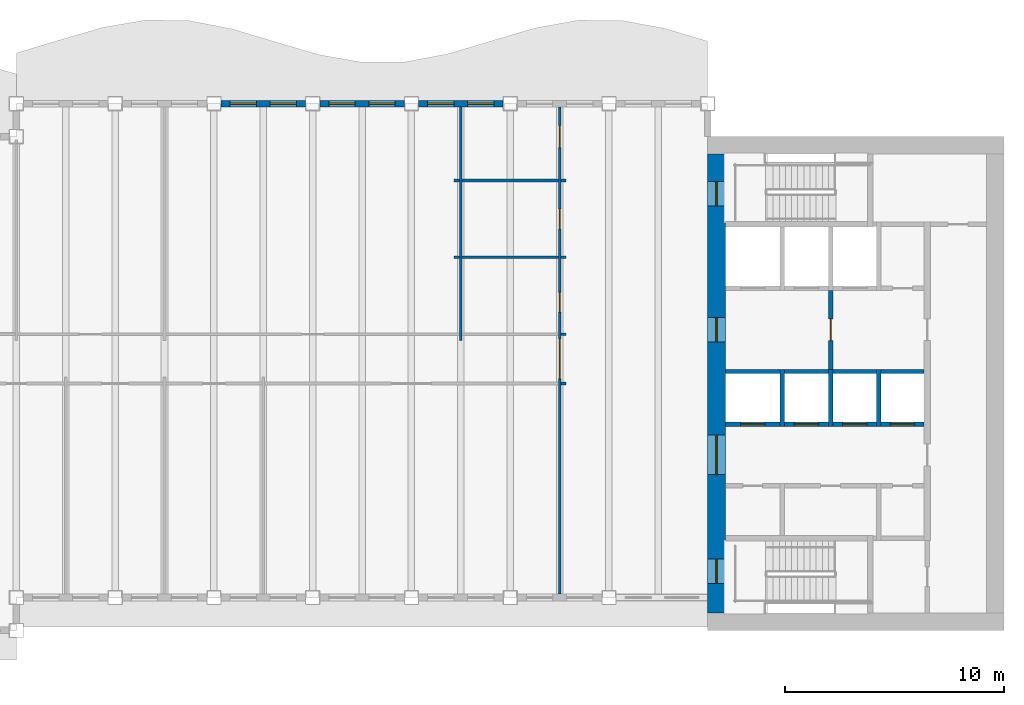
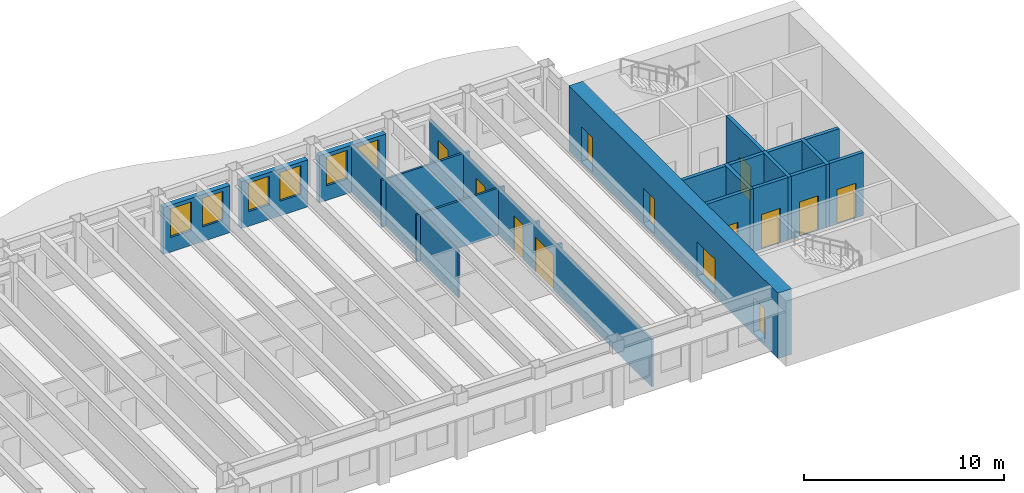
# One storey, part 5 of 12: 26 walls, 13 doors, 6 windows, 19 openings.
"""IFC4 building model written with IfcOpenShell, lengths in metres."""

from ifc_helpers import new_model, si_unit, direction, frame, frame_2d, origin, place, context, subcontext, project, spatial, rectangle, extrude, material, layer, layer_set, type_object, element, fill, save


model = new_model("IFC4")

# Units and contexts
model_context = context("Model", 3, precision=1e-05, world=origin(), true_north=direction((0.0, 1.0)))
body_context = subcontext(model_context, "Body", "Model", "MODEL_VIEW")
ifc_project = project(units=[si_unit("LENGTHUNIT", "METRE"), si_unit("AREAUNIT", "SQUARE_METRE"), si_unit("VOLUMEUNIT", "CUBIC_METRE"), si_unit("PLANEANGLEUNIT", "RADIAN"), si_unit("MASSUNIT", "GRAM", prefix="KILO")], contexts=[model_context])

# Site, building, storey
site_placement = place(None, origin())
site = spatial("IfcSite", under=ifc_project, at=site_placement, CompositionType="ELEMENT")
building_placement = place(site_placement, origin())
building = spatial("IfcBuilding", under=site, at=building_placement, Name="Sennacour Bend Tower", CompositionType="ELEMENT")
storey_placement = place(building_placement, frame((0.0, 0.0, 261.0)))
storey = spatial("IfcBuildingStorey", under=building, at=storey_placement, Name="L60", CompositionType="ELEMENT", Elevation=261.0)

# Wall, openings, doors
ifc_material_1 = material(Name="Concrete C50/60", Category="concrete")
ifc_layer_1 = layer(ifc_material_1, 0.800048828125, Name="Concrete C50/60", Category="concrete")
ifc_layer_set_1 = layer_set([ifc_layer_1], Name="Concrete C50/60")
wall_type_1 = type_object("IfcWallType", Name="Core wall 800 C50/60", PredefinedType="SHEAR", material=ifc_layer_set_1)
wall_1_placement = place(storey_placement, frame((54.39990234375, 0.800048828125, -0.14990234375), z_axis=(0.0, 0.0, 1.0), x_axis=(0.0, 1.0, 0.0)))
wall_1 = element("IfcWall", 1, at=wall_1_placement, inside=storey, type_object=wall_type_1, Name="Core A wall L60 W", PredefinedType="SHEAR", context=body_context, shape_type="SweptSolid", body=[
    extrude(rectangle(XDim=20.89990234375, YDim=0.800048828125, at=frame_2d((10.449951171875, 0.0))), origin(), (0.0, 0.0, 1.0), 4.0),
])
opening_1_placement = place(wall_1_placement, frame((6.300048828125, 0.0, 0.14990234375)))
opening_1 = element("IfcOpeningElement", 2, at=opening_1_placement, cuts=wall_1, Name="Opening CD", PredefinedType="OPENING", context=body_context, shape_type="SweptSolid", body=[
    extrude(rectangle(XDim=1.800048828125, YDim=2.10009765625, at=frame_2d((0.89990234375, 1.050048828125))), frame((0.0, 0.41015625, 0.0), z_axis=(0.0, -1.0, 0.0), x_axis=(1.0, 0.0, 0.0)), (0.0, 0.0, 1.0), 0.820068359375),
])
opening_2_placement = place(wall_1_placement, frame((12.35009765625, 0.0, 0.14990234375)))
opening_2 = element("IfcOpeningElement", 3, at=opening_2_placement, cuts=wall_1, Name="Opening FD", PredefinedType="OPENING", context=body_context, shape_type="SweptSolid", body=[
    extrude(rectangle(XDim=1.10009765625, YDim=2.10009765625, at=frame_2d((0.550048828125, 1.050048828125))), frame((0.0, 0.41015625, 0.0), z_axis=(0.0, -1.0, 0.0), x_axis=(1.0, 0.0, 0.0)), (0.0, 0.0, 1.0), 0.820068359375),
])
opening_3_placement = place(wall_1_placement, frame((1.35009765625, 0.0, 0.14990234375)))
opening_3 = element("IfcOpeningElement", 4, at=opening_3_placement, cuts=wall_1, Name="Opening SD", PredefinedType="OPENING", context=body_context, shape_type="SweptSolid", body=[
    extrude(rectangle(XDim=1.10009765625, YDim=2.10009765625, at=frame_2d((0.550048828125, 1.050048828125))), frame((0.0, 0.41015625, 0.0), z_axis=(0.0, -1.0, 0.0), x_axis=(1.0, 0.0, 0.0)), (0.0, 0.0, 1.0), 0.820068359375),
])
opening_4_placement = place(wall_1_placement, frame((18.550048828125, 0.0, 0.14990234375)))
opening_4 = element("IfcOpeningElement", 5, at=opening_4_placement, cuts=wall_1, Name="Opening SD", PredefinedType="OPENING", context=body_context, shape_type="SweptSolid", body=[
    extrude(rectangle(XDim=1.10009765625, YDim=2.10009765625, at=frame_2d((0.550048828125, 1.050048828125))), frame((0.0, 0.41015625, 0.0), z_axis=(0.0, -1.0, 0.0), x_axis=(1.0, 0.0, 0.0)), (0.0, 0.0, 1.0), 0.820068359375),
])
ifc_material_2 = material(Name="Painted steel", Category="steel")
door_type_1 = type_object("IfcDoorType", Name="DR-FFL-1100", OperationType="NOTDEFINED", PredefinedType="DOOR", material=ifc_material_2)
door_1_placement = place(opening_2_placement, origin())
door_1 = element("IfcDoor", 6, at=door_1_placement, inside=storey, type_object=door_type_1, Name="Door", OperationType="SINGLE_SWING_RIGHT", OverallHeight=2.10009765625, OverallWidth=1.10009765625, PredefinedType="DOOR", context=body_context, shape_type="SweptSolid", body=[
    extrude(rectangle(XDim=1.10009765625, YDim=2.10009765625, at=frame_2d((0.550048828125, 1.050048828125))), frame((0.0, 0.02490234375, 0.0), z_axis=(0.0, -1.0, 0.0), x_axis=(1.0, 0.0, 0.0)), (0.0, 0.0, 1.0), 0.050048828125),
])
fill(opening_2, door_1)
door_type_2 = type_object("IfcDoorType", Name="DR-LOBBY-1800", OperationType="NOTDEFINED", PredefinedType="DOOR", material=ifc_material_2)
door_2_placement = place(opening_1_placement, origin())
door_2 = element("IfcDoor", 7, at=door_2_placement, inside=storey, type_object=door_type_2, Name="Door", OperationType="DOUBLE_DOOR_SINGLE_SWING", OverallHeight=2.10009765625, OverallWidth=1.800048828125, PredefinedType="DOOR", context=body_context, shape_type="SweptSolid", body=[
    extrude(rectangle(XDim=1.800048828125, YDim=2.10009765625, at=frame_2d((0.89990234375, 1.050048828125))), frame((0.0, 0.02490234375, 0.0), z_axis=(0.0, -1.0, 0.0), x_axis=(1.0, 0.0, 0.0)), (0.0, 0.0, 1.0), 0.050048828125),
])
fill(opening_1, door_2)
door_type_3 = type_object("IfcDoorType", Name="DR-STAIR-1100", OperationType="NOTDEFINED", PredefinedType="DOOR", material=ifc_material_2)
door_3_placement = place(opening_3_placement, origin())
door_3 = element("IfcDoor", 8, at=door_3_placement, inside=storey, type_object=door_type_3, Name="Door", OperationType="SINGLE_SWING_LEFT", OverallHeight=2.10009765625, OverallWidth=1.10009765625, PredefinedType="DOOR", context=body_context, shape_type="SweptSolid", body=[
    extrude(rectangle(XDim=1.10009765625, YDim=2.10009765625, at=frame_2d((0.550048828125, 1.050048828125))), frame((0.0, 0.02490234375, 0.0), z_axis=(0.0, -1.0, 0.0), x_axis=(1.0, 0.0, 0.0)), (0.0, 0.0, 1.0), 0.050048828125),
])
fill(opening_3, door_3)
door_4_placement = place(opening_4_placement, origin())
door_4 = element("IfcDoor", 9, at=door_4_placement, inside=storey, type_object=door_type_3, Name="Door", OperationType="SINGLE_SWING_RIGHT", OverallHeight=2.10009765625, OverallWidth=1.10009765625, PredefinedType="DOOR", context=body_context, shape_type="SweptSolid", body=[
    extrude(rectangle(XDim=1.10009765625, YDim=2.10009765625, at=frame_2d((0.550048828125, 1.050048828125))), frame((0.0, 0.02490234375, 0.0), z_axis=(0.0, -1.0, 0.0), x_axis=(1.0, 0.0, 0.0)), (0.0, 0.0, 1.0), 0.050048828125),
])
fill(opening_4, door_4)

# Walls
ifc_material_3 = material(Name="Plasterboard partition on steel studs", Category="steel")
ifc_layer_2 = layer(ifc_material_3, 0.1201171875, Name="Plasterboard partition on steel studs", Category="steel")
ifc_layer_set_2 = layer_set([ifc_layer_2], Name="Plasterboard partition on steel studs")
wall_type_2 = type_object("IfcWallType", Name="Partition 120", PredefinedType="PARTITIONING", material=ifc_layer_set_2)
wall_2_placement = place(storey_placement, frame((42.75, 13.199951171875, 0.0), z_axis=(0.0, 0.0, 1.0), x_axis=(0.0, 1.0, 0.0)))
element("IfcWall", 10, at=wall_2_placement, inside=storey, type_object=wall_type_2, Name="P-L60-W013a", PredefinedType="PARTITIONING", context=body_context, shape_type="SweptSolid", body=[
    extrude(rectangle(XDim=10.650146484375, YDim=0.1201171875, at=frame_2d((5.3251953125, 0.0))), origin(), (0.0, 0.0, 1.0), 2.8701171875),
])
for number, where, z_axis, x_axis, name in (
    (11, (47.31005859375, 11.25, 0.0), (0.0, 0.0, 1.0), (1.0, 0.0, 0.0), "P-L60-W039ag"),
    (12, (47.31005859375, 13.5, 0.0), (0.0, 0.0, 1.0), (1.0, 0.0, 0.0), "P-L60-W041ag"),
    (13, (42.449951171875, 17.0, 0.0), (0.0, 0.0, 1.0), (1.0, 0.0, 0.0), "P-L60-W044aa"),
):
    element("IfcWall", number, at=place(storey_placement, frame(where, z_axis=z_axis, x_axis=x_axis)), inside=storey, type_object=wall_type_2, Name=name, PredefinedType="PARTITIONING", context=body_context, shape_type="SweptSolid", body=[
        extrude(rectangle(XDim=0.239990234375, YDim=0.1201171875, at=frame_2d((0.1201171875, 0.0))), origin(), (0.0, 0.0, 1.0), 2.8701171875),
    ])
wall_3_placement = place(storey_placement, frame((42.81005859375, 17.0, 0.0), z_axis=(0.0, 0.0, 1.0), x_axis=(1.0, 0.0, 0.0)))
element("IfcWall", 14, at=wall_3_placement, inside=storey, type_object=wall_type_2, Name="P-L60-W044ab", PredefinedType="PARTITIONING", context=body_context, shape_type="SweptSolid", body=[
    extrude(rectangle(XDim=4.3798828125, YDim=0.1201171875, at=frame_2d((2.18994140625, 0.0))), origin(), (0.0, 0.0, 1.0), 2.8701171875),
])
for number, where, z_axis, x_axis, name in (
    (15, (47.31005859375, 17.0, 0.0), (0.0, 0.0, 1.0), (1.0, 0.0, 0.0), "P-L60-W044ac"),
    (16, (42.449951171875, 20.5, 0.0), (0.0, 0.0, 1.0), (1.0, 0.0, 0.0), "P-L60-W048aa"),
):
    element("IfcWall", number, at=place(storey_placement, frame(where, z_axis=z_axis, x_axis=x_axis)), inside=storey, type_object=wall_type_2, Name=name, PredefinedType="PARTITIONING", context=body_context, shape_type="SweptSolid", body=[
        extrude(rectangle(XDim=0.239990234375, YDim=0.1201171875, at=frame_2d((0.1201171875, 0.0))), origin(), (0.0, 0.0, 1.0), 2.8701171875),
    ])
wall_4_placement = place(storey_placement, frame((42.81005859375, 20.5, 0.0), z_axis=(0.0, 0.0, 1.0), x_axis=(1.0, 0.0, 0.0)))
element("IfcWall", 17, at=wall_4_placement, inside=storey, type_object=wall_type_2, Name="P-L60-W048ab", PredefinedType="PARTITIONING", context=body_context, shape_type="SweptSolid", body=[
    extrude(rectangle(XDim=4.3798828125, YDim=0.1201171875, at=frame_2d((2.18994140625, 0.0))), origin(), (0.0, 0.0, 1.0), 2.8701171875),
])
wall_5_placement = place(storey_placement, frame((47.31005859375, 20.5, 0.0), z_axis=(0.0, 0.0, 1.0), x_axis=(1.0, 0.0, 0.0)))
element("IfcWall", 18, at=wall_5_placement, inside=storey, type_object=wall_type_2, Name="P-L60-W048ac", PredefinedType="PARTITIONING", context=body_context, shape_type="SweptSolid", body=[
    extrude(rectangle(XDim=0.239990234375, YDim=0.1201171875, at=frame_2d((0.1201171875, 0.0))), origin(), (0.0, 0.0, 1.0), 2.8701171875),
])

# Wall, openings, doors
ifc_layer_3 = layer(ifc_material_3, 0.1201171875, Name="Plasterboard partition on steel studs", Category="steel")
ifc_layer_set_3 = layer_set([ifc_layer_3], Name="Plasterboard partition on steel studs")
wall_type_3 = type_object("IfcWallType", Name="Partition 120 EI 30", PredefinedType="PARTITIONING", material=ifc_layer_set_3)
wall_6_placement = place(storey_placement, frame((47.25, 1.64990234375, 0.0), z_axis=(0.0, 0.0, 1.0), x_axis=(0.0, 1.0, 0.0)))
wall_6 = element("IfcWall", 19, at=wall_6_placement, inside=storey, type_object=wall_type_3, Name="P-L60-W014a", PredefinedType="PARTITIONING", context=body_context, shape_type="SweptSolid", body=[
    extrude(rectangle(XDim=22.2001953125, YDim=0.1201171875, at=frame_2d((11.10009765625, 0.0))), origin(), (0.0, 0.0, 1.0), 2.8701171875),
])
opening_5_placement = place(wall_6_placement, frame((9.8251953125, 0.0, 0.0)))
opening_5 = element("IfcOpeningElement", 20, at=opening_5_placement, cuts=wall_6, Name="Opening KD3", PredefinedType="OPENING", context=body_context, shape_type="SweptSolid", body=[
    extrude(rectangle(XDim=1.800048828125, YDim=2.10009765625, at=frame_2d((0.89990234375, 1.050048828125))), frame((0.0, 0.070068359375, 0.0), z_axis=(0.0, -1.0, 0.0), x_axis=(1.0, 0.0, 0.0)), (0.0, 0.0, 1.0), 0.14013671875),
])
opening_6_placement = place(wall_6_placement, frame((12.85009765625, 0.0, 0.0)))
opening_6 = element("IfcOpeningElement", 21, at=opening_6_placement, cuts=wall_6, Name="Opening WD", PredefinedType="OPENING", context=body_context, shape_type="SweptSolid", body=[
    extrude(rectangle(XDim=0.89990234375, YDim=2.10009765625, at=frame_2d((0.449951171875, 1.050048828125))), frame((0.0, 0.070068359375, 0.0), z_axis=(0.0, -1.0, 0.0), x_axis=(1.0, 0.0, 0.0)), (0.0, 0.0, 1.0), 0.14013671875),
])
opening_7_placement = place(wall_6_placement, frame((16.650146484375, 0.0, 0.0)))
opening_7 = element("IfcOpeningElement", 22, at=opening_7_placement, cuts=wall_6, Name="Opening WD", PredefinedType="OPENING", context=body_context, shape_type="SweptSolid", body=[
    extrude(rectangle(XDim=0.89990234375, YDim=2.10009765625, at=frame_2d((0.449951171875, 1.050048828125))), frame((0.0, 0.070068359375, 0.0), z_axis=(0.0, -1.0, 0.0), x_axis=(1.0, 0.0, 0.0)), (0.0, 0.0, 1.0), 0.14013671875),
])
opening_8_placement = place(wall_6_placement, frame((20.35009765625, 0.0, 0.0)))
opening_8 = element("IfcOpeningElement", 23, at=opening_8_placement, cuts=wall_6, Name="Opening AD", PredefinedType="OPENING", context=body_context, shape_type="SweptSolid", body=[
    extrude(rectangle(XDim=1.0, YDim=2.10009765625, at=frame_2d((0.5, 1.050048828125))), frame((0.0, 0.070068359375, 0.0), z_axis=(0.0, -1.0, 0.0), x_axis=(1.0, 0.0, 0.0)), (0.0, 0.0, 1.0), 0.14013671875),
])
ifc_material_4 = material(Name="Timber", Category="wood")
door_type_4 = type_object("IfcDoorType", Name="DR-ACC-WC-1000", OperationType="NOTDEFINED", PredefinedType="DOOR", material=ifc_material_4)
door_5_placement = place(opening_8_placement, origin())
door_5 = element("IfcDoor", 24, at=door_5_placement, inside=storey, type_object=door_type_4, Name="Door", OperationType="SINGLE_SWING_RIGHT", OverallHeight=2.10009765625, OverallWidth=1.0, PredefinedType="DOOR", context=body_context, shape_type="SweptSolid", body=[
    extrude(rectangle(XDim=1.0, YDim=2.10009765625, at=frame_2d((0.5, 1.050048828125))), frame((0.0, 0.02490234375, 0.0), z_axis=(0.0, -1.0, 0.0), x_axis=(1.0, 0.0, 0.0)), (0.0, 0.0, 1.0), 0.050048828125),
])
fill(opening_8, door_5)
door_type_5 = type_object("IfcDoorType", Name="DR-CORRIDOR-1800", OperationType="NOTDEFINED", PredefinedType="DOOR", material=ifc_material_2)
door_6_placement = place(opening_5_placement, origin())
door_6 = element("IfcDoor", 25, at=door_6_placement, inside=storey, type_object=door_type_5, Name="Door", OperationType="DOUBLE_DOOR_SINGLE_SWING", OverallHeight=2.10009765625, OverallWidth=1.800048828125, PredefinedType="DOOR", context=body_context, shape_type="SweptSolid", body=[
    extrude(rectangle(XDim=1.800048828125, YDim=2.10009765625, at=frame_2d((0.89990234375, 1.050048828125))), frame((0.0, 0.02490234375, 0.0), z_axis=(0.0, -1.0, 0.0), x_axis=(1.0, 0.0, 0.0)), (0.0, 0.0, 1.0), 0.050048828125),
])
fill(opening_5, door_6)
door_type_6 = type_object("IfcDoorType", Name="DR-WC-900", OperationType="NOTDEFINED", PredefinedType="DOOR", material=ifc_material_4)
door_7_placement = place(opening_6_placement, origin())
door_7 = element("IfcDoor", 26, at=door_7_placement, inside=storey, type_object=door_type_6, Name="Door", OperationType="SINGLE_SWING_RIGHT", OverallHeight=2.10009765625, OverallWidth=0.89990234375, PredefinedType="DOOR", context=body_context, shape_type="SweptSolid", body=[
    extrude(rectangle(XDim=0.89990234375, YDim=2.10009765625, at=frame_2d((0.449951171875, 1.050048828125))), frame((0.0, 0.02490234375, 0.0), z_axis=(0.0, -1.0, 0.0), x_axis=(1.0, 0.0, 0.0)), (0.0, 0.0, 1.0), 0.050048828125),
])
fill(opening_6, door_7)
door_8_placement = place(opening_7_placement, origin())
door_8 = element("IfcDoor", 27, at=door_8_placement, inside=storey, type_object=door_type_6, Name="Door", OperationType="SINGLE_SWING_RIGHT", OverallHeight=2.10009765625, OverallWidth=0.89990234375, PredefinedType="DOOR", context=body_context, shape_type="SweptSolid", body=[
    extrude(rectangle(XDim=0.89990234375, YDim=2.10009765625, at=frame_2d((0.449951171875, 1.050048828125))), frame((0.0, 0.02490234375, 0.0), z_axis=(0.0, -1.0, 0.0), x_axis=(1.0, 0.0, 0.0)), (0.0, 0.0, 1.0), 0.050048828125),
])
fill(opening_7, door_8)

# Wall, opening, door
ifc_material_5 = material(Name="Fire-rated plasterboard partition on steel studs", Category="steel")
ifc_layer_4 = layer(ifc_material_5, 0.199951171875, Name="Fire-rated plasterboard partition on steel studs", Category="steel")
ifc_layer_set_4 = layer_set([ifc_layer_4], Name="Fire-rated plasterboard partition on steel studs")
wall_type_4 = type_object("IfcWallType", Name="Rated partition 200 EI 90", PredefinedType="PARTITIONING", material=ifc_layer_set_4)
wall_7_placement = place(storey_placement, frame((59.60009765625, 11.89990234375, 0.0), z_axis=(0.0, 0.0, 1.0), x_axis=(0.0, 1.0, 0.0)))
wall_7 = element("IfcWall", 28, at=wall_7_placement, inside=storey, type_object=wall_type_4, Name="P-L60-W020", PredefinedType="PARTITIONING", context=body_context, shape_type="SweptSolid", body=[
    extrude(rectangle(XDim=3.60009765625, YDim=0.199951171875, at=frame_2d((1.800048828125, 0.0))), origin(), (0.0, 0.0, 1.0), 3.85009765625),
])
opening_9_placement = place(wall_7_placement, frame((1.300048828125, 0.0, 0.0)))
opening_9 = element("IfcOpeningElement", 29, at=opening_9_placement, cuts=wall_7, Name="Opening FD2", PredefinedType="OPENING", context=body_context, shape_type="SweptSolid", body=[
    extrude(rectangle(XDim=1.0, YDim=2.10009765625, at=frame_2d((0.5, 1.050048828125))), frame((0.0, 0.10986328125, 0.0), z_axis=(0.0, -1.0, 0.0), x_axis=(1.0, 0.0, 0.0)), (0.0, 0.0, 1.0), 0.219970703125),
])
door_type_7 = type_object("IfcDoorType", Name="DR-FFL-1000", OperationType="NOTDEFINED", PredefinedType="DOOR", material=ifc_material_2)
door_9_placement = place(opening_9_placement, origin())
door_9 = element("IfcDoor", 30, at=door_9_placement, inside=storey, type_object=door_type_7, Name="Door", OperationType="SINGLE_SWING_LEFT", OverallHeight=2.10009765625, OverallWidth=1.0, PredefinedType="DOOR", context=body_context, shape_type="SweptSolid", body=[
    extrude(rectangle(XDim=1.0, YDim=2.10009765625, at=frame_2d((0.5, 1.050048828125))), frame((0.0, 0.02490234375, 0.0), z_axis=(0.0, -1.0, 0.0), x_axis=(1.0, 0.0, 0.0)), (0.0, 0.0, 1.0), 0.050048828125),
])
fill(opening_9, door_9)

# Wall, openings, windows
ifc_material_6 = material(Name="Warm limestone cladding", Category="masonry")
ifc_layer_5 = layer(ifc_material_6, 0.050048828125, Name="Warm limestone cladding", Category="masonry")
ifc_material_7 = material(Name="Precast concrete C40/50", Category="concrete")
ifc_layer_6 = layer(ifc_material_7, 0.25, Name="Precast concrete C40/50", Category="concrete")
ifc_layer_set_5 = layer_set([ifc_layer_5, ifc_layer_6], Name="Precast concrete C40/50 with limestone cladding")
wall_type_5 = type_object("IfcWallType", Name="STONE-CLAD PRECAST SPANDREL 300", PredefinedType="STANDARD", material=ifc_layer_set_5)
wall_8_placement = place(storey_placement, frame((44.675048828125, 24.0, 0.0), z_axis=(0.0, 0.0, 1.0), x_axis=(-1.0, 0.0, 0.0)))
wall_8 = element("IfcWall", 31, at=wall_8_placement, inside=storey, type_object=wall_type_5, Name="Stone spandrel and pier wall L60 07.02", PredefinedType="STANDARD", context=body_context, shape_type="SweptSolid", body=[
    extrude(rectangle(XDim=3.85009765625, YDim=0.300048828125, at=frame_2d((1.925048828125, 0.0))), origin(), (0.0, 0.0, 1.0), 2.8701171875),
])
opening_10_placement = place(wall_8_placement, frame((0.41259765625, 0.0, 0.89990234375)))
opening_10 = element("IfcOpeningElement", 32, at=opening_10_placement, cuts=wall_8, Name="Opening W16", PredefinedType="OPENING", context=body_context, shape_type="SweptSolid", body=[
    extrude(rectangle(XDim=1.199951171875, YDim=1.75, at=frame_2d((0.60009765625, 0.875))), frame((0.0, 0.16015625, 0.0), z_axis=(0.0, -1.0, 0.0), x_axis=(1.0, 0.0, 0.0)), (0.0, 0.0, 1.0), 0.320068359375),
])
opening_11_placement = place(wall_8_placement, frame((2.237548828125, 0.0, 0.89990234375)))
opening_11 = element("IfcOpeningElement", 33, at=opening_11_placement, cuts=wall_8, Name="Opening W16", PredefinedType="OPENING", context=body_context, shape_type="SweptSolid", body=[
    extrude(rectangle(XDim=1.199951171875, YDim=1.75, at=frame_2d((0.60009765625, 0.875))), frame((0.0, 0.16015625, 0.0), z_axis=(0.0, -1.0, 0.0), x_axis=(1.0, 0.0, 0.0)), (0.0, 0.0, 1.0), 0.320068359375),
])
ifc_material_8 = material(Name="Clear low-emissivity glass", Category="glass")
window_type = type_object("IfcWindowType", Name="WIN-RIBBON-1200x1750", PartitioningType="SINGLE_PANEL", PredefinedType="WINDOW", material=ifc_material_8)
window_1_placement = place(opening_10_placement, origin())
window_1 = element("IfcWindow", 34, at=window_1_placement, inside=storey, type_object=window_type, Name="Ribbon window L60 07.02.0", OverallHeight=1.75, OverallWidth=1.199951171875, PartitioningType="SINGLE_PANEL", PredefinedType="WINDOW", context=body_context, shape_type="SweptSolid", body=[
    extrude(rectangle(XDim=1.199951171875, YDim=1.75, at=frame_2d((0.60009765625, 0.875))), frame((0.0, 0.030029296875, 0.0), z_axis=(0.0, -1.0, 0.0), x_axis=(1.0, 0.0, 0.0)), (0.0, 0.0, 1.0), 0.06005859375),
])
fill(opening_10, window_1)
window_2_placement = place(opening_11_placement, origin())
window_2 = element("IfcWindow", 35, at=window_2_placement, inside=storey, type_object=window_type, Name="Ribbon window L60 07.02.1", OverallHeight=1.75, OverallWidth=1.199951171875, PartitioningType="SINGLE_PANEL", PredefinedType="WINDOW", context=body_context, shape_type="SweptSolid", body=[
    extrude(rectangle(XDim=1.199951171875, YDim=1.75, at=frame_2d((0.60009765625, 0.875))), frame((0.0, 0.030029296875, 0.0), z_axis=(0.0, -1.0, 0.0), x_axis=(1.0, 0.0, 0.0)), (0.0, 0.0, 1.0), 0.06005859375),
])
fill(opening_11, window_2)

wall_9_placement = place(storey_placement, frame((40.175048828125, 24.0, 0.0), z_axis=(0.0, 0.0, 1.0), x_axis=(-1.0, 0.0, 0.0)))
wall_9 = element("IfcWall", 36, at=wall_9_placement, inside=storey, type_object=wall_type_5, Name="Stone spandrel and pier wall L60 07.03", PredefinedType="STANDARD", context=body_context, shape_type="SweptSolid", body=[
    extrude(rectangle(XDim=3.85009765625, YDim=0.300048828125, at=frame_2d((1.925048828125, 0.0))), origin(), (0.0, 0.0, 1.0), 2.8701171875),
])
opening_12_placement = place(wall_9_placement, frame((0.41259765625, 0.0, 0.89990234375)))
opening_12 = element("IfcOpeningElement", 37, at=opening_12_placement, cuts=wall_9, Name="Opening W16", PredefinedType="OPENING", context=body_context, shape_type="SweptSolid", body=[
    extrude(rectangle(XDim=1.199951171875, YDim=1.75, at=frame_2d((0.60009765625, 0.875))), frame((0.0, 0.16015625, 0.0), z_axis=(0.0, -1.0, 0.0), x_axis=(1.0, 0.0, 0.0)), (0.0, 0.0, 1.0), 0.320068359375),
])
opening_13_placement = place(wall_9_placement, frame((2.237548828125, 0.0, 0.89990234375)))
opening_13 = element("IfcOpeningElement", 38, at=opening_13_placement, cuts=wall_9, Name="Opening W16", PredefinedType="OPENING", context=body_context, shape_type="SweptSolid", body=[
    extrude(rectangle(XDim=1.199951171875, YDim=1.75, at=frame_2d((0.60009765625, 0.875))), frame((0.0, 0.16015625, 0.0), z_axis=(0.0, -1.0, 0.0), x_axis=(1.0, 0.0, 0.0)), (0.0, 0.0, 1.0), 0.320068359375),
])
window_3_placement = place(opening_12_placement, origin())
window_3 = element("IfcWindow", 39, at=window_3_placement, inside=storey, type_object=window_type, Name="Ribbon window L60 07.03.0", OverallHeight=1.75, OverallWidth=1.199951171875, PartitioningType="SINGLE_PANEL", PredefinedType="WINDOW", context=body_context, shape_type="SweptSolid", body=[
    extrude(rectangle(XDim=1.199951171875, YDim=1.75, at=frame_2d((0.60009765625, 0.875))), frame((0.0, 0.030029296875, 0.0), z_axis=(0.0, -1.0, 0.0), x_axis=(1.0, 0.0, 0.0)), (0.0, 0.0, 1.0), 0.06005859375),
])
fill(opening_12, window_3)
window_4_placement = place(opening_13_placement, origin())
window_4 = element("IfcWindow", 40, at=window_4_placement, inside=storey, type_object=window_type, Name="Ribbon window L60 07.03.1", OverallHeight=1.75, OverallWidth=1.199951171875, PartitioningType="SINGLE_PANEL", PredefinedType="WINDOW", context=body_context, shape_type="SweptSolid", body=[
    extrude(rectangle(XDim=1.199951171875, YDim=1.75, at=frame_2d((0.60009765625, 0.875))), frame((0.0, 0.030029296875, 0.0), z_axis=(0.0, -1.0, 0.0), x_axis=(1.0, 0.0, 0.0)), (0.0, 0.0, 1.0), 0.06005859375),
])
fill(opening_13, window_4)

wall_10_placement = place(storey_placement, frame((35.675048828125, 24.0, 0.0), z_axis=(0.0, 0.0, 1.0), x_axis=(-1.0, 0.0, 0.0)))
wall_10 = element("IfcWall", 41, at=wall_10_placement, inside=storey, type_object=wall_type_5, Name="Stone spandrel and pier wall L60 07.04", PredefinedType="STANDARD", context=body_context, shape_type="SweptSolid", body=[
    extrude(rectangle(XDim=3.85009765625, YDim=0.300048828125, at=frame_2d((1.925048828125, 0.0))), origin(), (0.0, 0.0, 1.0), 2.8701171875),
])
opening_14_placement = place(wall_10_placement, frame((0.41259765625, 0.0, 0.89990234375)))
opening_14 = element("IfcOpeningElement", 42, at=opening_14_placement, cuts=wall_10, Name="Opening W16", PredefinedType="OPENING", context=body_context, shape_type="SweptSolid", body=[
    extrude(rectangle(XDim=1.199951171875, YDim=1.75, at=frame_2d((0.60009765625, 0.875))), frame((0.0, 0.16015625, 0.0), z_axis=(0.0, -1.0, 0.0), x_axis=(1.0, 0.0, 0.0)), (0.0, 0.0, 1.0), 0.320068359375),
])
opening_15_placement = place(wall_10_placement, frame((2.237548828125, 0.0, 0.89990234375)))
opening_15 = element("IfcOpeningElement", 43, at=opening_15_placement, cuts=wall_10, Name="Opening W16", PredefinedType="OPENING", context=body_context, shape_type="SweptSolid", body=[
    extrude(rectangle(XDim=1.199951171875, YDim=1.75, at=frame_2d((0.60009765625, 0.875))), frame((0.0, 0.16015625, 0.0), z_axis=(0.0, -1.0, 0.0), x_axis=(1.0, 0.0, 0.0)), (0.0, 0.0, 1.0), 0.320068359375),
])
window_5_placement = place(opening_14_placement, origin())
window_5 = element("IfcWindow", 44, at=window_5_placement, inside=storey, type_object=window_type, Name="Ribbon window L60 07.04.0", OverallHeight=1.75, OverallWidth=1.199951171875, PartitioningType="SINGLE_PANEL", PredefinedType="WINDOW", context=body_context, shape_type="SweptSolid", body=[
    extrude(rectangle(XDim=1.199951171875, YDim=1.75, at=frame_2d((0.60009765625, 0.875))), frame((0.0, 0.030029296875, 0.0), z_axis=(0.0, -1.0, 0.0), x_axis=(1.0, 0.0, 0.0)), (0.0, 0.0, 1.0), 0.06005859375),
])
fill(opening_14, window_5)
window_6_placement = place(opening_15_placement, origin())
window_6 = element("IfcWindow", 45, at=window_6_placement, inside=storey, type_object=window_type, Name="Ribbon window L60 07.04.1", OverallHeight=1.75, OverallWidth=1.199951171875, PartitioningType="SINGLE_PANEL", PredefinedType="WINDOW", context=body_context, shape_type="SweptSolid", body=[
    extrude(rectangle(XDim=1.199951171875, YDim=1.75, at=frame_2d((0.60009765625, 0.875))), frame((0.0, 0.030029296875, 0.0), z_axis=(0.0, -1.0, 0.0), x_axis=(1.0, 0.0, 0.0)), (0.0, 0.0, 1.0), 0.06005859375),
])
fill(opening_15, window_6)

# Walls
ifc_layer_7 = layer(ifc_material_1, 0.199951171875, Name="Concrete C50/60", Category="concrete")
ifc_layer_set_6 = layer_set([ifc_layer_7], Name="Concrete C50/60")
wall_type_6 = type_object("IfcWallType", Name="Shaft wall 200", PredefinedType="SOLIDWALL", material=ifc_layer_set_6)
for number, where, z_axis, x_axis, name in (
    (46, (57.39990234375, 9.300048828125, 0.0), (0.0, 0.0, 1.0), (0.0, 1.0, 0.0), "P-L60-W017"),
    (47, (59.60009765625, 9.300048828125, 0.0), (0.0, 0.0, 1.0), (0.0, 1.0, 0.0), "P-L60-W019"),
    (48, (61.800048828125, 9.300048828125, 0.0), (0.0, 0.0, 1.0), (0.0, 1.0, 0.0), "P-L60-W025"),
):
    element("IfcWall", number, at=place(storey_placement, frame(where, z_axis=z_axis, x_axis=x_axis)), inside=storey, type_object=wall_type_6, Name=name, PredefinedType="SOLIDWALL", context=body_context, shape_type="SweptSolid", body=[
        extrude(rectangle(XDim=2.599853515625, YDim=0.199951171875, at=frame_2d((1.2998046875, 0.0))), origin(), (0.0, 0.0, 1.0), 3.85009765625),
    ])

# Wall, opening, door
wall_11_placement = place(storey_placement, frame((54.800048828125, 9.39990234375, 0.0), z_axis=(0.0, 0.0, 1.0), x_axis=(1.0, 0.0, 0.0)))
wall_11 = element("IfcWall", 49, at=wall_11_placement, inside=storey, type_object=wall_type_6, Name="P-L60-W038a", PredefinedType="SOLIDWALL", context=body_context, shape_type="SweptSolid", body=[
    extrude(rectangle(XDim=2.5, YDim=0.199951171875, at=frame_2d((1.25, 0.0))), origin(), (0.0, 0.0, 1.0), 3.85009765625),
])
opening_16_placement = place(wall_11_placement, frame((0.699951171875, 0.0, 0.011962890625)))
opening_16 = element("IfcOpeningElement", 50, at=opening_16_placement, cuts=wall_11, Name="Opening LD", PredefinedType="OPENING", context=body_context, shape_type="SweptSolid", body=[
    extrude(rectangle(XDim=1.10009765625, YDim=2.10009765625, at=frame_2d((0.550048828125, 1.050048828125))), frame((0.0, 0.10986328125, 0.0), z_axis=(0.0, -1.0, 0.0), x_axis=(1.0, 0.0, 0.0)), (0.0, 0.0, 1.0), 0.219970703125),
])
ifc_material_9 = material(Name="Stainless steel", Category="steel")
door_type_8 = type_object("IfcDoorType", Name="DR-LANDING-1100", OperationType="NOTDEFINED", PredefinedType="DOOR", material=ifc_material_9)
door_10_placement = place(opening_16_placement, origin())
door_10 = element("IfcDoor", 51, at=door_10_placement, inside=storey, type_object=door_type_8, Name="Lift landing door HA1", OperationType="SLIDING_TO_LEFT", OverallHeight=2.10009765625, OverallWidth=1.10009765625, PredefinedType="DOOR", context=body_context, shape_type="SweptSolid", body=[
    extrude(rectangle(XDim=1.10009765625, YDim=2.10009765625, at=frame_2d((0.550048828125, 1.050048828125))), frame((0.0, 0.02490234375, 0.0), z_axis=(0.0, -1.0, 0.0), x_axis=(1.0, 0.0, 0.0)), (0.0, 0.0, 1.0), 0.050048828125),
])
fill(opening_16, door_10)

wall_12_placement = place(storey_placement, frame((57.5, 9.39990234375, 0.0), z_axis=(0.0, 0.0, 1.0), x_axis=(1.0, 0.0, 0.0)))
wall_12 = element("IfcWall", 52, at=wall_12_placement, inside=storey, type_object=wall_type_6, Name="P-L60-W038b", PredefinedType="SOLIDWALL", context=body_context, shape_type="SweptSolid", body=[
    extrude(rectangle(XDim=2.0, YDim=0.199951171875, at=frame_2d((1.0, 0.0))), origin(), (0.0, 0.0, 1.0), 3.85009765625),
])
opening_17_placement = place(wall_12_placement, frame((0.449951171875, 0.0, 0.011962890625)))
opening_17 = element("IfcOpeningElement", 53, at=opening_17_placement, cuts=wall_12, Name="Opening LD", PredefinedType="OPENING", context=body_context, shape_type="SweptSolid", body=[
    extrude(rectangle(XDim=1.10009765625, YDim=2.10009765625, at=frame_2d((0.550048828125, 1.050048828125))), frame((0.0, 0.10986328125, 0.0), z_axis=(0.0, -1.0, 0.0), x_axis=(1.0, 0.0, 0.0)), (0.0, 0.0, 1.0), 0.219970703125),
])
door_11_placement = place(opening_17_placement, origin())
door_11 = element("IfcDoor", 54, at=door_11_placement, inside=storey, type_object=door_type_8, Name="Lift landing door HA2", OperationType="SLIDING_TO_RIGHT", OverallHeight=2.10009765625, OverallWidth=1.10009765625, PredefinedType="DOOR", context=body_context, shape_type="SweptSolid", body=[
    extrude(rectangle(XDim=1.10009765625, YDim=2.10009765625, at=frame_2d((0.550048828125, 1.050048828125))), frame((0.0, 0.02490234375, 0.0), z_axis=(0.0, -1.0, 0.0), x_axis=(1.0, 0.0, 0.0)), (0.0, 0.0, 1.0), 0.050048828125),
])
fill(opening_17, door_11)

wall_13_placement = place(storey_placement, frame((59.699951171875, 9.39990234375, 0.0), z_axis=(0.0, 0.0, 1.0), x_axis=(1.0, 0.0, 0.0)))
wall_13 = element("IfcWall", 55, at=wall_13_placement, inside=storey, type_object=wall_type_6, Name="P-L60-W038c", PredefinedType="SOLIDWALL", context=body_context, shape_type="SweptSolid", body=[
    extrude(rectangle(XDim=2.0, YDim=0.199951171875, at=frame_2d((1.0, 0.0))), origin(), (0.0, 0.0, 1.0), 3.85009765625),
])
opening_18_placement = place(wall_13_placement, frame((0.449951171875, 0.0, 0.011962890625)))
opening_18 = element("IfcOpeningElement", 56, at=opening_18_placement, cuts=wall_13, Name="Opening LD", PredefinedType="OPENING", context=body_context, shape_type="SweptSolid", body=[
    extrude(rectangle(XDim=1.10009765625, YDim=2.10009765625, at=frame_2d((0.550048828125, 1.050048828125))), frame((0.0, 0.10986328125, 0.0), z_axis=(0.0, -1.0, 0.0), x_axis=(1.0, 0.0, 0.0)), (0.0, 0.0, 1.0), 0.219970703125),
])
door_12_placement = place(opening_18_placement, origin())
door_12 = element("IfcDoor", 57, at=door_12_placement, inside=storey, type_object=door_type_8, Name="Lift landing door HA3", OperationType="SLIDING_TO_LEFT", OverallHeight=2.10009765625, OverallWidth=1.10009765625, PredefinedType="DOOR", context=body_context, shape_type="SweptSolid", body=[
    extrude(rectangle(XDim=1.10009765625, YDim=2.10009765625, at=frame_2d((0.550048828125, 1.050048828125))), frame((0.0, 0.02490234375, 0.0), z_axis=(0.0, -1.0, 0.0), x_axis=(1.0, 0.0, 0.0)), (0.0, 0.0, 1.0), 0.050048828125),
])
fill(opening_18, door_12)

wall_14_placement = place(storey_placement, frame((61.89990234375, 9.39990234375, 0.0), z_axis=(0.0, 0.0, 1.0), x_axis=(1.0, 0.0, 0.0)))
wall_14 = element("IfcWall", 58, at=wall_14_placement, inside=storey, type_object=wall_type_6, Name="P-L60-W038d", PredefinedType="SOLIDWALL", context=body_context, shape_type="SweptSolid", body=[
    extrude(rectangle(XDim=1.9501953125, YDim=0.199951171875, at=frame_2d((0.97509765625, 0.0))), origin(), (0.0, 0.0, 1.0), 3.85009765625),
])
opening_19_placement = place(wall_14_placement, frame((0.425048828125, 0.0, 0.011962890625)))
opening_19 = element("IfcOpeningElement", 59, at=opening_19_placement, cuts=wall_14, Name="Opening LD", PredefinedType="OPENING", context=body_context, shape_type="SweptSolid", body=[
    extrude(rectangle(XDim=1.10009765625, YDim=2.10009765625, at=frame_2d((0.550048828125, 1.050048828125))), frame((0.0, 0.10986328125, 0.0), z_axis=(0.0, -1.0, 0.0), x_axis=(1.0, 0.0, 0.0)), (0.0, 0.0, 1.0), 0.219970703125),
])
door_13_placement = place(opening_19_placement, origin())
door_13 = element("IfcDoor", 60, at=door_13_placement, inside=storey, type_object=door_type_8, Name="Lift landing door HA4", OperationType="SLIDING_TO_RIGHT", OverallHeight=2.10009765625, OverallWidth=1.10009765625, PredefinedType="DOOR", context=body_context, shape_type="SweptSolid", body=[
    extrude(rectangle(XDim=1.10009765625, YDim=2.10009765625, at=frame_2d((0.550048828125, 1.050048828125))), frame((0.0, 0.02490234375, 0.0), z_axis=(0.0, -1.0, 0.0), x_axis=(1.0, 0.0, 0.0)), (0.0, 0.0, 1.0), 0.050048828125),
])
fill(opening_19, door_13)

# Walls
wall_15_placement = place(storey_placement, frame((54.800048828125, 11.800048828125, 0.0), z_axis=(0.0, 0.0, 1.0), x_axis=(1.0, 0.0, 0.0)))
element("IfcWall", 61, at=wall_15_placement, inside=storey, type_object=wall_type_6, Name="P-L60-W040a", PredefinedType="SOLIDWALL", context=body_context, shape_type="SweptSolid", body=[
    extrude(rectangle(XDim=2.5, YDim=0.199951171875, at=frame_2d((1.25, 0.0))), origin(), (0.0, 0.0, 1.0), 3.85009765625),
])
for number, where, z_axis, x_axis, name in (
    (62, (57.5, 11.800048828125, 0.0), (0.0, 0.0, 1.0), (1.0, 0.0, 0.0), "P-L60-W040b"),
    (63, (59.699951171875, 11.800048828125, 0.0), (0.0, 0.0, 1.0), (1.0, 0.0, 0.0), "P-L60-W040c"),
):
    element("IfcWall", number, at=place(storey_placement, frame(where, z_axis=z_axis, x_axis=x_axis)), inside=storey, type_object=wall_type_6, Name=name, PredefinedType="SOLIDWALL", context=body_context, shape_type="SweptSolid", body=[
        extrude(rectangle(XDim=2.0, YDim=0.199951171875, at=frame_2d((1.0, 0.0))), origin(), (0.0, 0.0, 1.0), 3.85009765625),
    ])
wall_16_placement = place(storey_placement, frame((61.89990234375, 11.800048828125, 0.0), z_axis=(0.0, 0.0, 1.0), x_axis=(1.0, 0.0, 0.0)))
element("IfcWall", 64, at=wall_16_placement, inside=storey, type_object=wall_type_6, Name="P-L60-W040d", PredefinedType="SOLIDWALL", context=body_context, shape_type="SweptSolid", body=[
    extrude(rectangle(XDim=1.9501953125, YDim=0.199951171875, at=frame_2d((0.97509765625, 0.0))), origin(), (0.0, 0.0, 1.0), 3.85009765625),
])

save(model, "model.ifc")
